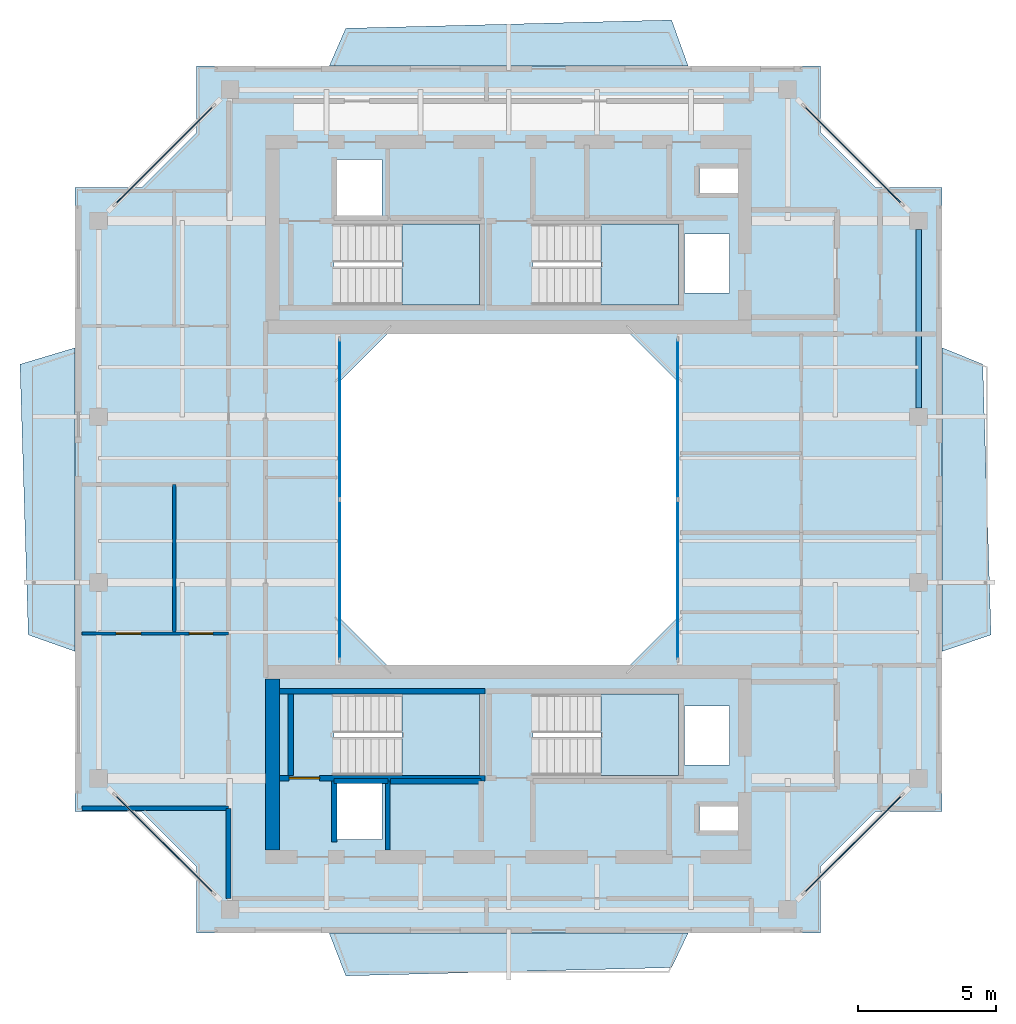
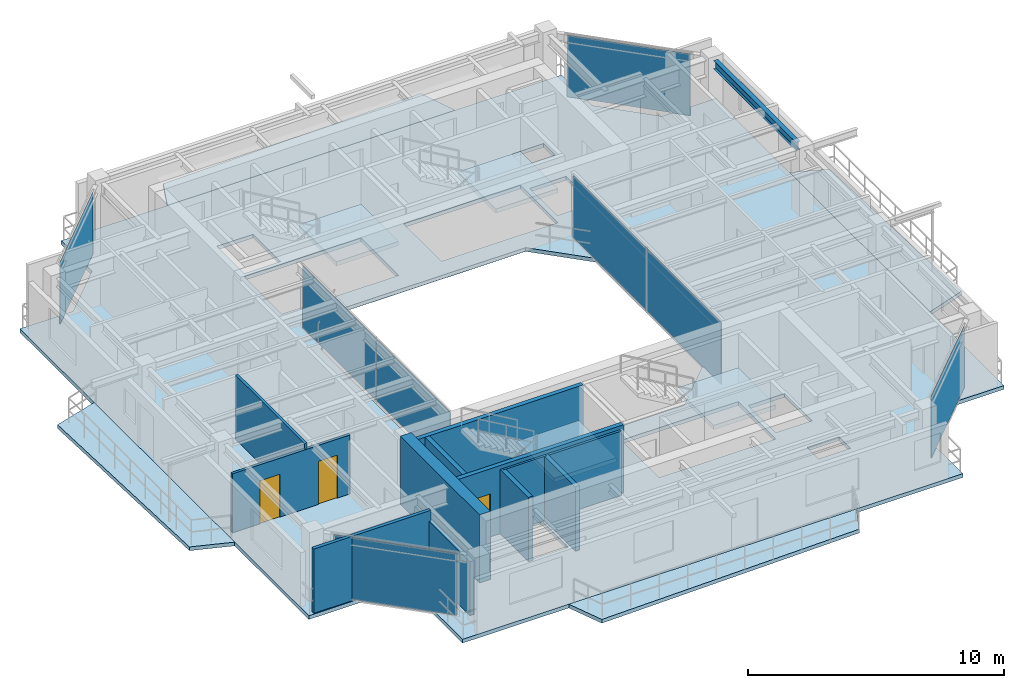
# One storey, part 8 of 14: 12 walls, 9 slabs, 8 plates, 3 doors, 1 beam, 3 openings, 10 elements without a shape of their own.
"""IFC4 building model written with IfcOpenShell, lengths in metres."""

from ifc_helpers import new_model, si_unit, direction, frame, frame_2d, origin, origin_2d, place, context, subcontext, project, spatial, polyline, rectangle, i_section, outline, extrude, source, transform, mapped, material, layer, layer_set, material_profile, profile_set, type_object, element, fill, aggregate, save


model = new_model("IFC4")

# Units and contexts
model_context = context("Model", 3, precision=1e-05, world=origin(), true_north=direction((0.0, 1.0)))
body_context = subcontext(model_context, "Body", "Model", "MODEL_VIEW")
ifc_project = project(units=[si_unit("LENGTHUNIT", "METRE"), si_unit("AREAUNIT", "SQUARE_METRE"), si_unit("VOLUMEUNIT", "CUBIC_METRE"), si_unit("PLANEANGLEUNIT", "RADIAN"), si_unit("MASSUNIT", "GRAM", prefix="KILO"), si_unit("THERMODYNAMICTEMPERATUREUNIT", "KELVIN"), si_unit("POWERUNIT", "WATT")], contexts=[model_context])

# Site, building, storey
site_placement = place(None, origin())
site = spatial("IfcSite", under=ifc_project, at=site_placement, CompositionType="ELEMENT")
building_placement = place(site_placement, origin())
building = spatial("IfcBuilding", under=site, at=building_placement, Name="Qiaomeng Ring Towers", CompositionType="ELEMENT")
storey_placement = place(building_placement, frame((0.0, 0.0, 247.0)))
storey = spatial("IfcBuildingStorey", under=building, at=storey_placement, Name="L72", CompositionType="ELEMENT", Elevation=247.0)

# Beam
ifc_material_1 = material(Name="Steel Q355B", Category="steel")
ifc_material_profile = material_profile(ifc_material_1, i_section(OverallWidth=0.198974609375, OverallDepth=0.39599609375, WebThickness=0.007080078125, FlangeThickness=0.010986328125, FilletRadius=0.01611328125, at=origin_2d()), Name="HN 396x199x7x11")
ifc_profile_set = profile_set([ifc_material_profile], Name="Steel Q355B")
beam_type = type_object("IfcBeamType", Name="STR-BM-HN396", PredefinedType="SPANDREL", material=ifc_profile_set)
shared_shape_1 = source(origin(), body_context, "Body", "SweptSolid", [
    extrude(i_section(OverallWidth=0.198974609375, OverallDepth=0.39599609375, WebThickness=0.007080078125, FlangeThickness=0.010986328125, FilletRadius=0.01611328125, at=origin_2d()), origin(), (0.0, 0.0, 1.0), 6.451904296875),
])
beam_placement = place(storey_placement, frame((33.85009765625, 26.323974609375, 2.8720703125), z_axis=(0.0, 1.0, 0.0), x_axis=(-1.0, 0.0, 0.0)))
element("IfcBeam", 1, at=beam_placement, inside=storey, type_object=beam_type, Name="L72 beam STR-SP-L72-T1-E3-E4", PredefinedType="SPANDREL", context=body_context, shape_type="MappedRepresentation", body=[
    mapped(shared_shape_1, transform((0.0, 0.0, 0.0), x_axis=(1.0, 0.0, 0.0), y_axis=(0.0, 1.0, 0.0), z_axis=(0.0, 0.0, 1.0), scale=1.0)),
])

# Slabs
ifc_material_2 = material(Name="Concrete C40", Category="concrete")
ifc_layer_1 = layer(ifc_material_2, 0.179931640625, Name="Concrete C40")
ifc_layer_set_1 = layer_set([ifc_layer_1], Name="Concrete C40")
slab_type_1 = type_object("IfcSlabType", Name="STR-SL-180", PredefinedType="FLOOR", material=ifc_layer_set_1)
slab_1_placement = place(storey_placement, frame((0.0, 0.0, -0.179931640625)))
element("IfcSlab", 2, at=slab_1_placement, inside=storey, type_object=slab_type_1, Name="L72 Tower 1 Annular Floor Slab", PredefinedType="FLOOR", context=body_context, shape_type="SweptSolid", body=[
    extrude(outline(polyline([(7.699951171875, 7.300048828125), (30.300048828125, 7.300048828125), (30.300048828125, 9.699951171875), (32.300048828125, 11.699951171875), (34.699951171875, 11.699951171875), (34.699951171875, 34.300048828125), (32.300048828125, 34.300048828125), (30.300048828125, 36.300048828125), (30.300048828125, 38.699951171875), (7.699951171875, 38.699951171875), (7.699951171875, 36.300048828125), (5.699951171875, 34.300048828125), (3.300048828125, 34.300048828125), (3.300048828125, 11.699951171875), (5.699951171875, 11.699951171875), (7.699951171875, 9.699951171875), (7.699951171875, 7.300048828125)]), holes=[polyline([(12.780029296875, 10.679931640625), (12.780029296875, 12.820068359375), (14.419921875, 12.820068359375), (14.419921875, 10.679931640625), (12.780029296875, 10.679931640625)]), polyline([(12.679931640625, 13.010009765625), (12.679931640625, 15.949951171875), (17.949951171875, 15.949951171875), (17.949951171875, 13.010009765625), (12.679931640625, 13.010009765625)]), polyline([(23.199951171875, 29.199951171875), (25.199951171875, 27.199951171875), (25.199951171875, 18.800048828125), (23.199951171875, 16.800048828125), (14.800048828125, 16.800048828125), (12.800048828125, 18.800048828125), (12.800048828125, 27.199951171875), (14.800048828125, 29.199951171875), (23.199951171875, 29.199951171875)]), polyline([(12.679931640625, 32.989990234375), (17.949951171875, 32.989990234375), (17.949951171875, 30.050048828125), (12.679931640625, 30.050048828125), (12.679931640625, 32.989990234375)]), polyline([(19.8798828125, 32.989990234375), (25.14990234375, 32.989990234375), (25.14990234375, 30.050048828125), (19.8798828125, 30.050048828125), (19.8798828125, 32.989990234375)]), polyline([(12.780029296875, 33.179931640625), (12.780029296875, 35.320068359375), (14.419921875, 35.320068359375), (14.419921875, 33.179931640625), (12.780029296875, 33.179931640625)]), polyline([(25.919921875, 11.89990234375), (27.360107421875, 11.89990234375), (27.360107421875, 11.0), (25.919921875, 11.0), (25.919921875, 11.89990234375)]), polyline([(25.360107421875, 15.52001953125), (27.0, 15.52001953125), (27.0, 13.3798828125), (25.360107421875, 13.3798828125), (25.360107421875, 15.52001953125)]), polyline([(19.8798828125, 13.010009765625), (19.8798828125, 15.949951171875), (25.14990234375, 15.949951171875), (25.14990234375, 13.010009765625), (19.8798828125, 13.010009765625)]), polyline([(25.360107421875, 32.6201171875), (27.0, 32.6201171875), (27.0, 30.47998046875), (25.360107421875, 30.47998046875), (25.360107421875, 32.6201171875)]), polyline([(25.919921875, 35.0), (27.360107421875, 35.0), (27.360107421875, 34.10009765625), (25.919921875, 34.10009765625), (25.919921875, 35.0)])]), origin(), (0.0, 0.0, 1.0), 0.179931640625),
])
ifc_layer_2 = layer(ifc_material_2, 0.179931640625, Name="Concrete C40")
ifc_layer_set_2 = layer_set([ifc_layer_2], Name="Concrete C40")
slab_type_2 = type_object("IfcSlabType", Name="STR-SL-BAL", PredefinedType="FLOOR", material=ifc_layer_set_2)
slab_2_placement = place(storey_placement, frame((0.0, 0.0, -0.179931640625)))
element("IfcSlab", 3, at=slab_2_placement, inside=storey, type_object=slab_type_2, Name="L72 Tower 1 S Faceted Balcony Slab", PredefinedType="FLOOR", context=body_context, shape_type="SweptSolid", body=[
    extrude(outline(polyline([(24.89990234375, 6.050048828125), (13.10009765625, 5.75), (12.5, 7.300048828125), (25.5, 7.300048828125), (24.89990234375, 6.050048828125)])), origin(), (0.0, 0.0, 1.0), 0.179931640625),
])
slab_3_placement = place(storey_placement, frame((0.0, 0.0, -0.179931640625)))
element("IfcSlab", 4, at=slab_3_placement, inside=storey, type_object=slab_type_2, Name="L72 Tower 1 E Faceted Balcony Slab", PredefinedType="FLOOR", context=body_context, shape_type="SweptSolid", body=[
    extrude(outline(polyline([(36.169921875, 27.89990234375), (36.469970703125, 18.10009765625), (34.699951171875, 17.5), (34.699951171875, 28.5), (36.169921875, 27.89990234375)])), origin(), (0.0, 0.0, 1.0), 0.179931640625),
])
slab_4_placement = place(storey_placement, frame((0.0, 0.0, -0.179931640625)))
element("IfcSlab", 5, at=slab_4_placement, inside=storey, type_object=slab_type_2, Name="L72 Tower 1 N Faceted Balcony Slab", PredefinedType="FLOOR", context=body_context, shape_type="SweptSolid", body=[
    extrude(outline(polyline([(12.5, 38.699951171875), (13.10009765625, 40.070068359375), (24.89990234375, 40.3701171875), (25.5, 38.699951171875), (12.5, 38.699951171875)])), origin(), (0.0, 0.0, 1.0), 0.179931640625),
])
slab_5_placement = place(storey_placement, frame((0.0, 0.0, -0.179931640625)))
element("IfcSlab", 6, at=slab_5_placement, inside=storey, type_object=slab_type_2, Name="L72 Tower 1 W Faceted Balcony Slab", PredefinedType="FLOOR", context=body_context, shape_type="SweptSolid", body=[
    extrude(outline(polyline([(1.60009765625, 18.10009765625), (1.300048828125, 27.89990234375), (3.300048828125, 28.5), (3.300048828125, 17.5), (1.60009765625, 18.10009765625)])), origin(), (0.0, 0.0, 1.0), 0.179931640625),
])

# Stair, slab
ifc_material_3 = material(Name="Precast concrete C40", Category="concrete")
stair_type = type_object("IfcStairType", Name="ARC-ST-325", PredefinedType="HALF_TURN_STAIR", material=ifc_material_3)
stair_1_placement = place(storey_placement, origin())
stair_1 = element("IfcStair", 7, at=stair_1_placement, inside=storey, type_object=stair_type, Name="L72 Tower 1 North Stair 1", PredefinedType="HALF_TURN_STAIR")
ifc_layer_3 = layer(ifc_material_2, 0.199951171875, Name="Concrete C40")
ifc_layer_set_3 = layer_set([ifc_layer_3], Name="Concrete C40")
slab_type_3 = type_object("IfcSlabType", Name="STR-SL-LANDING", PredefinedType="LANDING", material=ifc_layer_set_3)
slab_6_placement = place(storey_placement, frame((0.0, 0.0, 1.425048828125)))
slab_6 = element("IfcSlab", 8, at=slab_6_placement, type_object=slab_type_3, Name="ST1 landing 1", PredefinedType="LANDING", context=body_context, shape_type="SweptSolid", body=[
    extrude(outline(polyline([(15.139892578125, 30.050048828125), (17.949951171875, 30.050048828125), (17.949951171875, 32.989990234375), (15.139892578125, 32.989990234375), (15.139892578125, 30.050048828125)])), origin(), (0.0, 0.0, 1.0), 0.199951171875),
])
aggregate(stair_1, [slab_6])

stair_2_placement = place(storey_placement, origin())
stair_2 = element("IfcStair", 9, at=stair_2_placement, inside=storey, type_object=stair_type, Name="L72 Tower 1 North Stair 2", PredefinedType="HALF_TURN_STAIR")
slab_7_placement = place(storey_placement, frame((0.0, 0.0, 1.425048828125)))
slab_7 = element("IfcSlab", 10, at=slab_7_placement, type_object=slab_type_3, Name="ST2 landing 1", PredefinedType="LANDING", context=body_context, shape_type="SweptSolid", body=[
    extrude(outline(polyline([(22.340087890625, 30.050048828125), (25.14990234375, 30.050048828125), (25.14990234375, 32.989990234375), (22.340087890625, 32.989990234375), (22.340087890625, 30.050048828125)])), origin(), (0.0, 0.0, 1.0), 0.199951171875),
])
aggregate(stair_2, [slab_7])

stair_3_placement = place(storey_placement, origin())
stair_3 = element("IfcStair", 11, at=stair_3_placement, inside=storey, type_object=stair_type, Name="L72 Tower 1 South Stair 3", PredefinedType="HALF_TURN_STAIR")
slab_8_placement = place(storey_placement, frame((0.0, 0.0, 1.425048828125)))
slab_8 = element("IfcSlab", 12, at=slab_8_placement, type_object=slab_type_3, Name="ST3 landing 1", PredefinedType="LANDING", context=body_context, shape_type="SweptSolid", body=[
    extrude(outline(polyline([(15.139892578125, 13.010009765625), (17.949951171875, 13.010009765625), (17.949951171875, 15.949951171875), (15.139892578125, 15.949951171875), (15.139892578125, 13.010009765625)])), origin(), (0.0, 0.0, 1.0), 0.199951171875),
])
aggregate(stair_3, [slab_8])

stair_4_placement = place(storey_placement, origin())
stair_4 = element("IfcStair", 13, at=stair_4_placement, inside=storey, type_object=stair_type, Name="L72 Tower 1 South Stair 4", PredefinedType="HALF_TURN_STAIR")
slab_9_placement = place(storey_placement, frame((0.0, 0.0, 1.425048828125)))
slab_9 = element("IfcSlab", 14, at=slab_9_placement, type_object=slab_type_3, Name="ST4 landing 1", PredefinedType="LANDING", context=body_context, shape_type="SweptSolid", body=[
    extrude(outline(polyline([(22.340087890625, 13.010009765625), (25.14990234375, 13.010009765625), (25.14990234375, 15.949951171875), (22.340087890625, 15.949951171875), (22.340087890625, 13.010009765625)])), origin(), (0.0, 0.0, 1.0), 0.199951171875),
])
aggregate(stair_4, [slab_9])

# Curtain wall, plates
ifc_material_4 = material(Name="Fluorocarbon dark-grey aluminium", Category="aluminium")
ifc_layer_4 = layer(ifc_material_4, 0.139892578125, Name="Fluorocarbon dark-grey aluminium")
ifc_layer_set_4 = layer_set([ifc_layer_4], Name="Fluorocarbon dark-grey aluminium")
curtain_wall_type_1 = type_object("IfcCurtainWallType", Name="ARC-CW-4", PredefinedType="NOTDEFINED", material=ifc_layer_set_4)
curtain_wall_1_placement = place(storey_placement, origin())
curtain_wall_1 = element("IfcCurtainWall", 15, at=curtain_wall_1_placement, inside=storey, type_object=curtain_wall_type_1, Name="L72 Curtain Wall CW4", PredefinedType="NOTDEFINED")
ifc_material_5 = material(Name="Low-E dark-grey laminated double glazing", Category="glass")
ifc_layer_5 = layer(ifc_material_5, 0.028076171875, Name="Low-E dark-grey laminated double glazing")
ifc_layer_set_5 = layer_set([ifc_layer_5], Name="Low-E dark-grey laminated double glazing")
plate_type = type_object("IfcPlateType", Name="ARC-CWP-DARK", PredefinedType="CURTAIN_PANEL", material=ifc_layer_set_5)
shared_shape_2 = source(origin(), body_context, "Body", "SweptSolid", [
    extrude(rectangle(XDim=5.75244140625, YDim=0.028076171875, at=origin_2d()), origin(), (0.0, 0.0, 1.0), 2.93994140625),
])
plate_1_placement = place(storey_placement, frame((12.8798828125, 20.09130859375, 0.06494140625), z_axis=(0.0, 0.0, 1.0), x_axis=(0.0, 1.0, 0.0)))
plate_1 = element("IfcPlate", 16, at=plate_1_placement, type_object=plate_type, Name="CW4 panel 1.1", PredefinedType="CURTAIN_PANEL", context=body_context, shape_type="MappedRepresentation", body=[
    mapped(shared_shape_2, transform((0.0, 0.0, 0.0), x_axis=(1.0, 0.0, 0.0), y_axis=(0.0, 1.0, 0.0), z_axis=(0.0, 0.0, 1.0), scale=1.0)),
])
plate_2_placement = place(storey_placement, frame((12.8798828125, 25.90869140625, 0.06494140625), z_axis=(0.0, 0.0, 1.0), x_axis=(0.0, 1.0, 0.0)))
plate_2 = element("IfcPlate", 17, at=plate_2_placement, type_object=plate_type, Name="CW4 panel 2.1", PredefinedType="CURTAIN_PANEL", context=body_context, shape_type="MappedRepresentation", body=[
    mapped(shared_shape_2, transform((0.0, 0.0, 0.0), x_axis=(1.0, 0.0, 0.0), y_axis=(0.0, 1.0, 0.0), z_axis=(0.0, 0.0, 1.0), scale=1.0)),
])
aggregate(curtain_wall_1, [plate_1, plate_2])

curtain_wall_2_placement = place(storey_placement, origin())
curtain_wall_2 = element("IfcCurtainWall", 18, at=curtain_wall_2_placement, inside=storey, type_object=curtain_wall_type_1, Name="L72 Curtain Wall CW4", PredefinedType="NOTDEFINED")
plate_3_placement = place(storey_placement, frame((25.1201171875, 20.09130859375, 0.06494140625), z_axis=(0.0, 0.0, 1.0), x_axis=(0.0, 1.0, 0.0)))
plate_3 = element("IfcPlate", 19, at=plate_3_placement, type_object=plate_type, Name="CW4 panel 1.1", PredefinedType="CURTAIN_PANEL", context=body_context, shape_type="MappedRepresentation", body=[
    mapped(shared_shape_2, transform((0.0, 0.0, 0.0), x_axis=(1.0, 0.0, 0.0), y_axis=(0.0, 1.0, 0.0), z_axis=(0.0, 0.0, 1.0), scale=1.0)),
])
plate_4_placement = place(storey_placement, frame((25.1201171875, 25.90869140625, 0.06494140625), z_axis=(0.0, 0.0, 1.0), x_axis=(0.0, 1.0, 0.0)))
plate_4 = element("IfcPlate", 20, at=plate_4_placement, type_object=plate_type, Name="CW4 panel 2.1", PredefinedType="CURTAIN_PANEL", context=body_context, shape_type="MappedRepresentation", body=[
    mapped(shared_shape_2, transform((0.0, 0.0, 0.0), x_axis=(1.0, 0.0, 0.0), y_axis=(0.0, 1.0, 0.0), z_axis=(0.0, 0.0, 1.0), scale=1.0)),
])
aggregate(curtain_wall_2, [plate_3, plate_4])

# Curtain wall, plate
ifc_layer_6 = layer(ifc_material_4, 0.14990234375, Name="Fluorocarbon dark-grey aluminium")
ifc_layer_set_6 = layer_set([ifc_layer_6], Name="Fluorocarbon dark-grey aluminium")
curtain_wall_type_2 = type_object("IfcCurtainWallType", Name="ARC-CW-3", PredefinedType="NOTDEFINED", material=ifc_layer_set_6)
curtain_wall_3_placement = place(storey_placement, origin())
curtain_wall_3 = element("IfcCurtainWall", 21, at=curtain_wall_3_placement, inside=storey, type_object=curtain_wall_type_2, Name="L72 Curtain Wall CW3", PredefinedType="NOTDEFINED")
shared_shape_3 = source(origin(), body_context, "Body", "SweptSolid", [
    extrude(rectangle(XDim=4.9794921875, YDim=0.028076171875, at=origin_2d()), origin(), (0.0, 0.0, 1.0), 2.93994140625),
])
plate_5_placement = place(storey_placement, frame((31.47509765625, 10.52490234375, 0.06494140625), z_axis=(0.0, 0.0, 1.0), x_axis=(0.707106781187, 0.707106781187, 0.0)))
plate_5 = element("IfcPlate", 22, at=plate_5_placement, type_object=plate_type, Name="CW3 panel 1.1", PredefinedType="CURTAIN_PANEL", context=body_context, shape_type="MappedRepresentation", body=[
    mapped(shared_shape_3, transform((0.0, 0.0, 0.0), x_axis=(1.0, 0.0, 0.0), y_axis=(0.0, 1.0, 0.0), z_axis=(0.0, 0.0, 1.0), scale=1.0)),
])
aggregate(curtain_wall_3, [plate_5])

curtain_wall_4_placement = place(storey_placement, origin())
curtain_wall_4 = element("IfcCurtainWall", 23, at=curtain_wall_4_placement, inside=storey, type_object=curtain_wall_type_2, Name="L72 Curtain Wall CW3", PredefinedType="NOTDEFINED")
plate_6_placement = place(storey_placement, frame((31.47509765625, 35.47509765625, 0.06494140625), z_axis=(0.0, 0.0, 1.0), x_axis=(-0.707106781187, 0.707106781187, 0.0)))
plate_6 = element("IfcPlate", 24, at=plate_6_placement, type_object=plate_type, Name="CW3 panel 1.1", PredefinedType="CURTAIN_PANEL", context=body_context, shape_type="MappedRepresentation", body=[
    mapped(shared_shape_3, transform((0.0, 0.0, 0.0), x_axis=(1.0, 0.0, 0.0), y_axis=(0.0, 1.0, 0.0), z_axis=(0.0, 0.0, 1.0), scale=1.0)),
])
aggregate(curtain_wall_4, [plate_6])

curtain_wall_5_placement = place(storey_placement, origin())
curtain_wall_5 = element("IfcCurtainWall", 25, at=curtain_wall_5_placement, inside=storey, type_object=curtain_wall_type_2, Name="L72 Curtain Wall CW3", PredefinedType="NOTDEFINED")
plate_7_placement = place(storey_placement, frame((6.52490234375, 35.47509765625, 0.06494140625), z_axis=(0.0, 0.0, 1.0), x_axis=(-0.707106781187, -0.707106781187, 0.0)))
plate_7 = element("IfcPlate", 26, at=plate_7_placement, type_object=plate_type, Name="CW3 panel 1.1", PredefinedType="CURTAIN_PANEL", context=body_context, shape_type="MappedRepresentation", body=[
    mapped(shared_shape_3, transform((0.0, 0.0, 0.0), x_axis=(1.0, 0.0, 0.0), y_axis=(0.0, 1.0, 0.0), z_axis=(0.0, 0.0, 1.0), scale=1.0)),
])
aggregate(curtain_wall_5, [plate_7])

curtain_wall_6_placement = place(storey_placement, origin())
curtain_wall_6 = element("IfcCurtainWall", 27, at=curtain_wall_6_placement, inside=storey, type_object=curtain_wall_type_2, Name="L72 Curtain Wall CW3", PredefinedType="NOTDEFINED")
plate_8_placement = place(storey_placement, frame((6.52490234375, 10.52490234375, 0.06494140625), z_axis=(0.0, 0.0, 1.0), x_axis=(0.707106781187, -0.707106781187, 0.0)))
plate_8 = element("IfcPlate", 28, at=plate_8_placement, type_object=plate_type, Name="CW3 panel 1.1", PredefinedType="CURTAIN_PANEL", context=body_context, shape_type="MappedRepresentation", body=[
    mapped(shared_shape_3, transform((0.0, 0.0, 0.0), x_axis=(1.0, 0.0, 0.0), y_axis=(0.0, 1.0, 0.0), z_axis=(0.0, 0.0, 1.0), scale=1.0)),
])
aggregate(curtain_wall_6, [plate_8])

# Walls
ifc_material_6 = material(Name="Autoclaved aerated concrete block", Category="concrete")
ifc_layer_7 = layer(ifc_material_6, 0.199951171875, Name="Autoclaved aerated concrete block")
ifc_layer_set_7 = layer_set([ifc_layer_7], Name="Autoclaved aerated concrete block")
wall_type_1 = type_object("IfcWallType", Name="ARC-WL-PW1", PredefinedType="PARTITIONING", material=ifc_layer_set_7)
wall_1_placement = place(storey_placement, frame((12.679931640625, 10.60009765625, 0.0), z_axis=(0.0, 0.0, 1.0), x_axis=(0.0, 1.0, 0.0)))
element("IfcWall", 29, at=wall_1_placement, inside=storey, type_object=wall_type_1, Name="L72 Interior Wall PW1", PredefinedType="PARTITIONING", context=body_context, shape_type="SweptSolid", body=[
    extrude(rectangle(XDim=2.2099609375, YDim=0.199951171875, at=frame_2d((1.10498046875, 0.0))), origin(), (0.0, 0.0, 1.0), 3.070068359375),
])
wall_2_placement = place(storey_placement, frame((14.719970703125, 12.800048828125, 0.0), z_axis=(0.0, 0.0, 1.0), x_axis=(1.0, 0.0, 0.0)))
element("IfcWall", 30, at=wall_2_placement, inside=storey, type_object=wall_type_1, Name="L72 Interior Wall PW1", PredefinedType="PARTITIONING", context=body_context, shape_type="SweptSolid", body=[
    extrude(rectangle(XDim=3.280029296875, YDim=0.199951171875, at=frame_2d((1.64013671875, 0.0))), origin(), (0.0, 0.0, 1.0), 3.070068359375),
])
ifc_layer_8 = layer(ifc_material_6, 0.179931640625, Name="Autoclaved aerated concrete block")
ifc_layer_set_8 = layer_set([ifc_layer_8], Name="Autoclaved aerated concrete block")
wall_type_2 = type_object("IfcWallType", Name="ARC-WL-PW2", PredefinedType="PARTITIONING", material=ifc_layer_set_8)
wall_3_placement = place(storey_placement, frame((8.85009765625, 8.56005859375, 0.0), z_axis=(0.0, 0.0, 1.0), x_axis=(0.0, 1.0, 0.0)))
element("IfcWall", 31, at=wall_3_placement, inside=storey, type_object=wall_type_2, Name="L72 Interior Wall PW2", PredefinedType="PARTITIONING", context=body_context, shape_type="SweptSolid", body=[
    extrude(rectangle(XDim=3.260009765625, YDim=0.179931640625, at=frame_2d((1.6298828125, 0.0))), origin(), (0.0, 0.0, 1.0), 2.569091796875),
])
ifc_material_7 = material(Name="Gypsum fireboard steel-stud partition", Category="steel")
ifc_layer_9 = layer(ifc_material_7, 0.14990234375, Name="Gypsum fireboard steel-stud partition")
ifc_layer_set_9 = layer_set([ifc_layer_9], Name="Gypsum fireboard steel-stud partition")
wall_type_3 = type_object("IfcWallType", Name="ARC-WL-PW3", PredefinedType="PARTITIONING", material=ifc_layer_set_9)
wall_4_placement = place(storey_placement, frame((3.550048828125, 11.820068359375, 0.0), z_axis=(0.0, 0.0, 1.0), x_axis=(1.0, 0.0, 0.0)))
element("IfcWall", 32, at=wall_4_placement, inside=storey, type_object=wall_type_3, Name="L72 Interior Wall PW3", PredefinedType="PARTITIONING", context=body_context, shape_type="SweptSolid", body=[
    extrude(rectangle(XDim=5.300048828125, YDim=0.14990234375, at=frame_2d((2.64990234375, 0.0))), origin(), (0.0, 0.0, 1.0), 3.070068359375),
])

# Wall, openings, doors
ifc_material_8 = material(Name="Moisture-resistant gypsum steel-stud partition", Category="steel")
ifc_layer_10 = layer(ifc_material_8, 0.1201171875, Name="Moisture-resistant gypsum steel-stud partition")
ifc_layer_set_10 = layer_set([ifc_layer_10], Name="Moisture-resistant gypsum steel-stud partition")
wall_type_4 = type_object("IfcWallType", Name="ARC-WL-PW4", PredefinedType="PLUMBINGWALL", material=ifc_layer_set_10)
wall_5_placement = place(storey_placement, frame((3.550048828125, 18.14990234375, 0.0), z_axis=(0.0, 0.0, 1.0), x_axis=(1.0, 0.0, 0.0)))
wall_5 = element("IfcWall", 33, at=wall_5_placement, inside=storey, type_object=wall_type_4, Name="L72 Interior Wall PW4", PredefinedType="PLUMBINGWALL", context=body_context, shape_type="SweptSolid", body=[
    extrude(rectangle(XDim=5.300048828125, YDim=0.1201171875, at=frame_2d((2.64990234375, 0.0))), origin(), (0.0, 0.0, 1.0), 2.81494140625),
])
opening_1_placement = place(wall_5_placement, frame((1.22998046875, 0.0, 0.0)))
opening_1 = element("IfcOpeningElement", 34, at=opening_1_placement, cuts=wall_5, Name="Opening ID1", PredefinedType="OPENING", context=body_context, shape_type="SweptSolid", body=[
    extrude(rectangle(XDim=0.89990234375, YDim=2.050048828125, at=frame_2d((0.449951171875, 1.02490234375))), frame((0.0, 0.070068359375, 0.0), z_axis=(0.0, -1.0, 0.0), x_axis=(1.0, 0.0, 0.0)), (0.0, 0.0, 1.0), 0.14013671875),
])
opening_2_placement = place(wall_5_placement, frame((3.885009765625, 0.0, 0.0)))
opening_2 = element("IfcOpeningElement", 35, at=opening_2_placement, cuts=wall_5, Name="Opening ID2", PredefinedType="OPENING", context=body_context, shape_type="SweptSolid", body=[
    extrude(rectangle(XDim=0.85009765625, YDim=2.050048828125, at=frame_2d((0.425048828125, 1.02490234375))), frame((0.0, 0.070068359375, 0.0), z_axis=(0.0, -1.0, 0.0), x_axis=(1.0, 0.0, 0.0)), (0.0, 0.0, 1.0), 0.14013671875),
])
ifc_material_9 = material(Name="Moisture-resistant engineered timber", Category="wood")
door_type_1 = type_object("IfcDoorType", Name="ARC-DR-ID2", OperationType="NOTDEFINED", PredefinedType="DOOR", material=ifc_material_9)
shared_shape_4 = source(origin(), body_context, "Body", "SweptSolid", [
    extrude(rectangle(XDim=0.85009765625, YDim=2.050048828125, at=frame_2d((0.425048828125, 1.02490234375))), frame((0.0, 0.02490234375, 0.0), z_axis=(0.0, -1.0, 0.0), x_axis=(1.0, 0.0, 0.0)), (0.0, 0.0, 1.0), 0.050048828125),
])
door_1_placement = place(opening_2_placement, origin())
door_1 = element("IfcDoor", 36, at=door_1_placement, inside=storey, type_object=door_type_1, Name="L72 Door ID2", OperationType="SINGLE_SWING_LEFT", OverallHeight=2.050048828125, OverallWidth=0.85009765625, PredefinedType="DOOR", context=body_context, shape_type="MappedRepresentation", body=[
    mapped(shared_shape_4, transform((0.0, 0.0, 0.0), x_axis=(1.0, 0.0, 0.0), y_axis=(0.0, 1.0, 0.0), z_axis=(0.0, 0.0, 1.0), scale=1.0)),
])
fill(opening_2, door_1)
ifc_material_10 = material(Name="Engineered oak timber", Category="wood")
door_type_2 = type_object("IfcDoorType", Name="ARC-DR-ID1", OperationType="NOTDEFINED", PredefinedType="DOOR", material=ifc_material_10)
shared_shape_5 = source(origin(), body_context, "Body", "SweptSolid", [
    extrude(rectangle(XDim=0.89990234375, YDim=2.050048828125, at=frame_2d((0.449951171875, 1.02490234375))), frame((0.0, 0.02490234375, 0.0), z_axis=(0.0, -1.0, 0.0), x_axis=(1.0, 0.0, 0.0)), (0.0, 0.0, 1.0), 0.050048828125),
])
door_2_placement = place(opening_1_placement, origin())
door_2 = element("IfcDoor", 37, at=door_2_placement, inside=storey, type_object=door_type_2, Name="L72 Door ID1", OperationType="SINGLE_SWING_RIGHT", OverallHeight=2.050048828125, OverallWidth=0.89990234375, PredefinedType="DOOR", context=body_context, shape_type="MappedRepresentation", body=[
    mapped(shared_shape_5, transform((0.0, 0.0, 0.0), x_axis=(1.0, 0.0, 0.0), y_axis=(0.0, 1.0, 0.0), z_axis=(0.0, 0.0, 1.0), scale=1.0)),
])
fill(opening_1, door_2)

# Walls
wall_6_placement = place(storey_placement, frame((6.889892578125, 18.14990234375, 0.0), z_axis=(0.0, 0.0, 1.0), x_axis=(0.0, 1.0, 0.0)))
element("IfcWall", 38, at=wall_6_placement, inside=storey, type_object=wall_type_4, Name="L72 Interior Wall PW4", PredefinedType="PLUMBINGWALL", context=body_context, shape_type="SweptSolid", body=[
    extrude(rectangle(XDim=5.400146484375, YDim=0.1201171875, at=frame_2d((2.7001953125, 0.0))), origin(), (0.0, 0.0, 1.0), 3.070068359375),
])
ifc_layer_11 = layer(ifc_material_2, 0.199951171875, Name="Concrete C40")
ifc_layer_set_11 = layer_set([ifc_layer_11], Name="Concrete C40")
wall_type_5 = type_object("IfcWallType", Name="STR-WL-STSHAFT", PredefinedType="SHEAR", material=ifc_layer_set_11)
wall_7_placement = place(storey_placement, frame((12.679931640625, 12.800048828125, 0.0), z_axis=(0.0, 0.0, 1.0), x_axis=(1.0, 0.0, 0.0)))
element("IfcWall", 39, at=wall_7_placement, inside=storey, type_object=wall_type_5, Name="L72 Lift LP6 Shaft Back Wall", PredefinedType="SHEAR", context=body_context, shape_type="SweptSolid", body=[
    extrude(rectangle(XDim=1.940185546875, YDim=0.179931640625, at=frame_2d((0.97021484375, 0.0))), origin(), (0.0, 0.0, 1.0), 3.070068359375),
])
wall_8_placement = place(storey_placement, frame((14.6201171875, 10.300048828125, 0.0), z_axis=(0.0, 0.0, 1.0), x_axis=(0.0, 1.0, 0.0)))
element("IfcWall", 40, at=wall_8_placement, inside=storey, type_object=wall_type_5, Name="L72 Lift LP6-LP4 Shaft Divider Wall", PredefinedType="SHEAR", context=body_context, shape_type="SweptSolid", body=[
    extrude(rectangle(XDim=2.5, YDim=0.179931640625, at=frame_2d((1.25, 0.0))), origin(), (0.0, 0.0, 1.0), 3.070068359375),
])

# Wall, opening, door
wall_9_placement = place(storey_placement, frame((10.699951171875, 12.909912109375, 0.0), z_axis=(0.0, 0.0, 1.0), x_axis=(1.0, 0.0, 0.0)))
wall_9 = element("IfcWall", 41, at=wall_9_placement, inside=storey, type_object=wall_type_5, Name="L72 Stair ST3 South Shaft Shear Wall", PredefinedType="SHEAR", context=body_context, shape_type="SweptSolid", body=[
    extrude(rectangle(XDim=7.449951171875, YDim=0.199951171875, at=frame_2d((3.72509765625, 0.0))), origin(), (0.0, 0.0, 1.0), 3.25),
])
opening_3_placement = place(wall_9_placement, frame((0.35009765625, 0.0, 0.0)))
opening_3 = element("IfcOpeningElement", 42, at=opening_3_placement, cuts=wall_9, Name="Opening FD3", PredefinedType="OPENING", context=body_context, shape_type="SweptSolid", body=[
    extrude(rectangle(XDim=1.10009765625, YDim=2.050048828125, at=frame_2d((0.550048828125, 1.02490234375))), frame((0.0, 0.10986328125, 0.0), z_axis=(0.0, -1.0, 0.0), x_axis=(1.0, 0.0, 0.0)), (0.0, 0.0, 1.0), 0.219970703125),
])
ifc_material_11 = material(Name="Galvanised steel", Category="steel")
door_type_3 = type_object("IfcDoorType", Name="ARC-DR-FD3", OperationType="NOTDEFINED", PredefinedType="DOOR", material=ifc_material_11)
shared_shape_6 = source(origin(), body_context, "Body", "SweptSolid", [
    extrude(rectangle(XDim=1.10009765625, YDim=2.050048828125, at=frame_2d((0.550048828125, 1.02490234375))), frame((0.0, 0.02490234375, 0.0), z_axis=(0.0, -1.0, 0.0), x_axis=(1.0, 0.0, 0.0)), (0.0, 0.0, 1.0), 0.050048828125),
])
door_3_placement = place(opening_3_placement, frame((1.10009765625, 0.0, 0.0), z_axis=(0.0, 0.0, 1.0), x_axis=(-1.0, 0.0, 0.0)))
door_3 = element("IfcDoor", 43, at=door_3_placement, inside=storey, type_object=door_type_3, Name="L72 Stair ST3 Exit Door", OperationType="SINGLE_SWING_RIGHT", OverallHeight=2.050048828125, OverallWidth=1.10009765625, PredefinedType="DOOR", context=body_context, shape_type="MappedRepresentation", body=[
    mapped(shared_shape_6, transform((0.0, 0.0, 0.0), x_axis=(1.0, 0.0, 0.0), y_axis=(0.0, 1.0, 0.0), z_axis=(0.0, 0.0, 1.0), scale=1.0)),
])
fill(opening_3, door_3)

# Walls
wall_10_placement = place(storey_placement, frame((10.699951171875, 16.050048828125, 0.0), z_axis=(0.0, 0.0, 1.0), x_axis=(1.0, 0.0, 0.0)))
element("IfcWall", 44, at=wall_10_placement, inside=storey, type_object=wall_type_5, Name="L72 Stair ST3 North Shaft Shear Wall", PredefinedType="SHEAR", context=body_context, shape_type="SweptSolid", body=[
    extrude(rectangle(XDim=7.449951171875, YDim=0.199951171875, at=frame_2d((3.72509765625, 0.0))), origin(), (0.0, 0.0, 1.0), 3.25),
])
wall_11_placement = place(storey_placement, frame((11.10009765625, 13.010009765625, 0.0), z_axis=(0.0, 0.0, 1.0), x_axis=(0.0, 1.0, 0.0)))
element("IfcWall", 45, at=wall_11_placement, inside=storey, type_object=wall_type_5, Name="L72 Stair ST3 West Shaft Shear Wall", PredefinedType="SHEAR", context=body_context, shape_type="SweptSolid", body=[
    extrude(rectangle(XDim=2.93994140625, YDim=0.199951171875, at=frame_2d((1.469970703125, 0.0))), origin(), (0.0, 0.0, 1.0), 3.25),
])
ifc_layer_12 = layer(ifc_material_2, 0.5, Name="Concrete C40")
ifc_layer_set_12 = layer_set([ifc_layer_12], Name="Concrete C40")
wall_type_6 = type_object("IfcWallType", Name="STR-WL-SW3", PredefinedType="SHEAR", material=ifc_layer_set_12)
wall_12_placement = place(storey_placement, frame((10.449951171875, 10.300048828125, 0.0), z_axis=(0.0, 0.0, 1.0), x_axis=(0.0, 1.0, 0.0)))
element("IfcWall", 46, at=wall_12_placement, inside=storey, type_object=wall_type_6, Name="L72 T1SC west core shear wall", PredefinedType="SHEAR", context=body_context, shape_type="SweptSolid", body=[
    extrude(rectangle(XDim=6.199951171875, YDim=0.5, at=frame_2d((3.10009765625, 0.0))), origin(), (0.0, 0.0, 1.0), 3.25),
])

save(model, "model.ifc")
